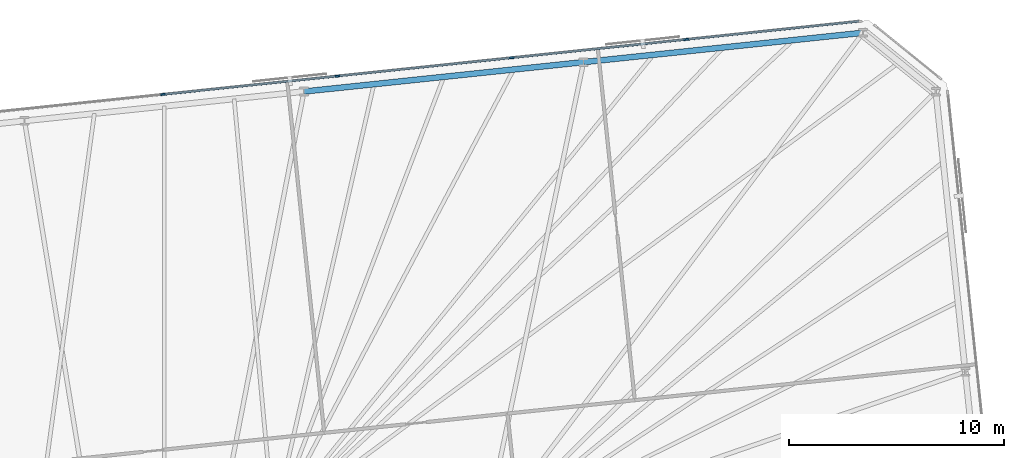
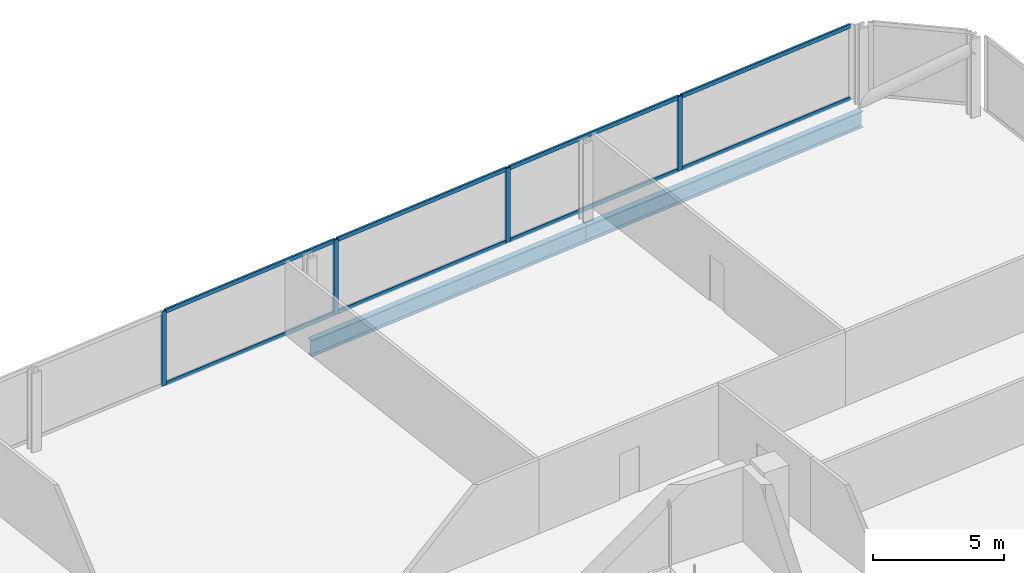
# One storey, part 11 of 18: 12 members, 2 beams, 1 element without a shape of its own.
"""IFC4 building model written with IfcOpenShell, lengths in metres."""

from ifc_helpers import new_model, si_unit, direction, frame, origin, origin_2d, place, context, subcontext, project, spatial, rectangle, i_section, extrude, material, material_profile, profile_set, type_object, element, aggregate, save


model = new_model("IFC4")

# Units and contexts
model_context = context("Model", 3, precision=1e-05, world=origin(), true_north=direction((0.0, 1.0)))
body_context = subcontext(model_context, "Body", "Model", "MODEL_VIEW")
ifc_project = project(units=[si_unit("LENGTHUNIT", "METRE"), si_unit("AREAUNIT", "SQUARE_METRE"), si_unit("VOLUMEUNIT", "CUBIC_METRE"), si_unit("PLANEANGLEUNIT", "RADIAN"), si_unit("MASSUNIT", "GRAM", prefix="KILO")], contexts=[model_context])

# Site, building, storey
site_placement = place(None, origin())
site = spatial("IfcSite", under=ifc_project, at=site_placement, CompositionType="ELEMENT")
building_placement = place(site_placement, origin())
building = spatial("IfcBuilding", under=site, at=building_placement, Name="Menara Jurai Vektor", CompositionType="ELEMENT")
storey_placement = place(building_placement, frame((0.0, 0.0, 94.800048828125)))
storey = spatial("IfcBuildingStorey", under=building, at=storey_placement, Name="L23", CompositionType="ELEMENT", Elevation=94.800048828125)

# Curtain wall, members
ifc_material_1 = material(Name="Anodised Pale Aluminium & Low-E Double Glazing", Category="aluminium")
curtain_wall_type = type_object("IfcCurtainWallType", Name="CW-BLK2", PredefinedType="NOTDEFINED", material=ifc_material_1)
curtain_wall_placement = place(storey_placement, origin())
curtain_wall = element("IfcCurtainWall", 1, at=curtain_wall_placement, inside=storey, type_object=curtain_wall_type, Name="Unitised Curtain Wall L23 F05", PredefinedType="NOTDEFINED")
ifc_material_2 = material(Name="Anodised Pale Aluminium Mullion", Category="aluminium")
ifc_material_profile_1 = material_profile(ifc_material_2, rectangle(XDim=0.090087890625, YDim=0.219970703125, at=origin_2d()), Name="ALU MUL 90x220")
ifc_profile_set_1 = profile_set([ifc_material_profile_1], Name="Anodised Pale Aluminium Mullion")
member_type_1 = type_object("IfcMemberType", Name="CW-BLK2-MUL", PredefinedType="MULLION", material=ifc_profile_set_1)
member_1_placement = place(storey_placement, frame((24.663330078125, 28.075927734375, 0.0), z_axis=(0.0, 0.0, 1.0), x_axis=(0.104528634935, -0.994521877325, 0.0)))
member_1 = element("IfcMember", 2, at=member_1_placement, type_object=member_type_1, Name="CW-02 mullion 2", PredefinedType="MULLION", context=body_context, shape_type="SweptSolid", body=[
    extrude(rectangle(XDim=0.090087890625, YDim=0.219970703125, at=origin_2d()), origin(), (0.0, 0.0, 1.0), 3.474853515625),
])
member_2_placement = place(storey_placement, frame((16.5654296875, 27.224853515625, 0.0), z_axis=(0.0, 0.0, 1.0), x_axis=(0.104528634935, -0.994521877325, 0.0)))
member_2 = element("IfcMember", 3, at=member_2_placement, type_object=member_type_1, Name="CW-02 mullion 3", PredefinedType="MULLION", context=body_context, shape_type="SweptSolid", body=[
    extrude(rectangle(XDim=0.090087890625, YDim=0.219970703125, at=origin_2d()), origin(), (0.0, 0.0, 1.0), 3.474853515625),
])
member_3_placement = place(storey_placement, frame((8.467529296875, 26.373779296875, 0.0), z_axis=(0.0, 0.0, 1.0), x_axis=(0.104528634935, -0.994521877325, 0.0)))
member_3 = element("IfcMember", 4, at=member_3_placement, type_object=member_type_1, Name="CW-02 mullion 4", PredefinedType="MULLION", context=body_context, shape_type="SweptSolid", body=[
    extrude(rectangle(XDim=0.090087890625, YDim=0.219970703125, at=origin_2d()), origin(), (0.0, 0.0, 1.0), 3.474853515625),
])
member_4_placement = place(storey_placement, frame((0.36962890625, 25.522705078125, 0.0), z_axis=(0.0, 0.0, 1.0), x_axis=(0.104528634935, -0.994521877325, 0.0)))
member_4 = element("IfcMember", 5, at=member_4_placement, type_object=member_type_1, Name="CW-02 mullion 5", PredefinedType="MULLION", context=body_context, shape_type="SweptSolid", body=[
    extrude(rectangle(XDim=0.090087890625, YDim=0.219970703125, at=origin_2d()), origin(), (0.0, 0.0, 1.0), 3.474853515625),
])
ifc_material_3 = material(Name="Anodised Pale Aluminium Transom", Category="aluminium")
ifc_material_profile_2 = material_profile(ifc_material_3, rectangle(XDim=0.090087890625, YDim=0.18505859375, at=origin_2d()), Name="ALU TRN 90x185")
ifc_profile_set_2 = profile_set([ifc_material_profile_2], Name="Anodised Pale Aluminium Transom")
member_type_2 = type_object("IfcMemberType", Name="CW-BLK2-TRN", PredefinedType="USERDEFINED", material=ifc_profile_set_2)
member_5_placement = place(storey_placement, frame((32.671875, 28.917724609375, 0.044921875), z_axis=(-0.994519977808, -0.104546706027, 0.0), x_axis=(0.104546706027, -0.994519977808, 0.0)))
member_5 = element("IfcMember", 6, at=member_5_placement, type_object=member_type_2, Name="CW-02 transom 1.1", ObjectType="TRANSOM", PredefinedType="USERDEFINED", context=body_context, shape_type="SweptSolid", body=[
    extrude(rectangle(XDim=0.090087890625, YDim=0.18505859375, at=origin_2d()), origin(), (0.0, 0.0, 1.0), 8.007568359375),
])
member_6_placement = place(storey_placement, frame((32.671875, 28.917724609375, 3.429931640625), z_axis=(-0.994519977808, -0.104546706027, 0.0), x_axis=(0.104546706027, -0.994519977808, 0.0)))
member_6 = element("IfcMember", 7, at=member_6_placement, type_object=member_type_2, Name="CW-02 transom 1.2", ObjectType="TRANSOM", PredefinedType="USERDEFINED", context=body_context, shape_type="SweptSolid", body=[
    extrude(rectangle(XDim=0.090087890625, YDim=0.18505859375, at=origin_2d()), origin(), (0.0, 0.0, 1.0), 8.007568359375),
])
member_7_placement = place(storey_placement, frame((24.61865234375, 28.0712890625, 0.044921875), z_axis=(-0.994520726373, -0.10453958492, 0.0), x_axis=(0.10453958492, -0.994520726373, 0.0)))
member_7 = element("IfcMember", 8, at=member_7_placement, type_object=member_type_2, Name="CW-02 transom 2.1", ObjectType="TRANSOM", PredefinedType="USERDEFINED", context=body_context, shape_type="SweptSolid", body=[
    extrude(rectangle(XDim=0.090087890625, YDim=0.18505859375, at=origin_2d()), origin(), (0.0, 0.0, 1.0), 8.052490234375),
])
member_8_placement = place(storey_placement, frame((24.61865234375, 28.0712890625, 3.429931640625), z_axis=(-0.994520726373, -0.10453958492, 0.0), x_axis=(0.10453958492, -0.994520726373, 0.0)))
member_8 = element("IfcMember", 9, at=member_8_placement, type_object=member_type_2, Name="CW-02 transom 2.2", ObjectType="TRANSOM", PredefinedType="USERDEFINED", context=body_context, shape_type="SweptSolid", body=[
    extrude(rectangle(XDim=0.090087890625, YDim=0.18505859375, at=origin_2d()), origin(), (0.0, 0.0, 1.0), 8.052490234375),
])
member_9_placement = place(storey_placement, frame((16.520751953125, 27.22021484375, 0.044921875), z_axis=(-0.994520726373, -0.10453958492, 0.0), x_axis=(0.10453958492, -0.994520726373, 0.0)))
member_9 = element("IfcMember", 10, at=member_9_placement, type_object=member_type_2, Name="CW-02 transom 3.1", ObjectType="TRANSOM", PredefinedType="USERDEFINED", context=body_context, shape_type="SweptSolid", body=[
    extrude(rectangle(XDim=0.090087890625, YDim=0.18505859375, at=origin_2d()), origin(), (0.0, 0.0, 1.0), 8.052490234375),
])
member_10_placement = place(storey_placement, frame((16.520751953125, 27.22021484375, 3.429931640625), z_axis=(-0.994520726373, -0.10453958492, 0.0), x_axis=(0.10453958492, -0.994520726373, 0.0)))
member_10 = element("IfcMember", 11, at=member_10_placement, type_object=member_type_2, Name="CW-02 transom 3.2", ObjectType="TRANSOM", PredefinedType="USERDEFINED", context=body_context, shape_type="SweptSolid", body=[
    extrude(rectangle(XDim=0.090087890625, YDim=0.18505859375, at=origin_2d()), origin(), (0.0, 0.0, 1.0), 8.052490234375),
])
member_11_placement = place(storey_placement, frame((8.4228515625, 26.369140625, 0.044921875), z_axis=(-0.994520726373, -0.10453958492, 0.0), x_axis=(0.10453958492, -0.994520726373, 0.0)))
member_11 = element("IfcMember", 12, at=member_11_placement, type_object=member_type_2, Name="CW-02 transom 4.1", ObjectType="TRANSOM", PredefinedType="USERDEFINED", context=body_context, shape_type="SweptSolid", body=[
    extrude(rectangle(XDim=0.090087890625, YDim=0.18505859375, at=origin_2d()), origin(), (0.0, 0.0, 1.0), 8.052490234375),
])
member_12_placement = place(storey_placement, frame((8.4228515625, 26.369140625, 3.429931640625), z_axis=(-0.994520726373, -0.10453958492, 0.0), x_axis=(0.10453958492, -0.994520726373, 0.0)))
member_12 = element("IfcMember", 13, at=member_12_placement, type_object=member_type_2, Name="CW-02 transom 4.2", ObjectType="TRANSOM", PredefinedType="USERDEFINED", context=body_context, shape_type="SweptSolid", body=[
    extrude(rectangle(XDim=0.090087890625, YDim=0.18505859375, at=origin_2d()), origin(), (0.0, 0.0, 1.0), 8.052490234375),
])
aggregate(curtain_wall, [member_1, member_2, member_3, member_4, member_5, member_6, member_7, member_8, member_9, member_10, member_11, member_12])

# Beams
ifc_material_4 = material(Name="Steel S460", Category="steel")
ifc_material_profile_3 = material_profile(ifc_material_4, i_section(OverallWidth=0.26806640625, OverallDepth=0.77001953125, WebThickness=0.01611328125, FlangeThickness=0.02490234375, FilletRadius=0.01708984375, at=origin_2d()), Name="UKB 762x267x197")
ifc_profile_set_3 = profile_set([ifc_material_profile_3], Name="Steel S460")
beam_type = type_object("IfcBeamType", Name="STR-SP-762", PredefinedType="SPANDREL", material=ifc_profile_set_3)
beam_1_placement = place(storey_placement, frame((32.876220703125, 28.38623046875, -0.610107421875), z_axis=(-0.994521431679, -0.104532874882, 0.0), x_axis=(0.104532874882, -0.994521431679, 0.0)))
element("IfcBeam", 14, at=beam_1_placement, inside=storey, type_object=beam_type, Name="Exoskeleton Spandrel Beam L23-11", PredefinedType="SPANDREL", context=body_context, shape_type="SweptSolid", body=[
    extrude(i_section(OverallWidth=0.26806640625, OverallDepth=0.77001953125, WebThickness=0.01611328125, FlangeThickness=0.02490234375, FilletRadius=0.01708984375, at=origin_2d()), origin(), (0.0, 0.0, 1.0), 13.051025390625),
])
beam_2_placement = place(storey_placement, frame((19.896728515625, 27.02197265625, -0.610107421875), z_axis=(-0.994521636083, -0.104530930169, 0.0), x_axis=(0.104530930169, -0.994521636083, 0.0)))
element("IfcBeam", 15, at=beam_2_placement, inside=storey, type_object=beam_type, Name="Exoskeleton Spandrel Beam L23-12", PredefinedType="SPANDREL", context=body_context, shape_type="SweptSolid", body=[
    extrude(i_section(OverallWidth=0.26806640625, OverallDepth=0.77001953125, WebThickness=0.01611328125, FlangeThickness=0.02490234375, FilletRadius=0.01708984375, at=origin_2d()), origin(), (0.0, 0.0, 1.0), 13.05126953125),
])

save(model, "model.ifc")
